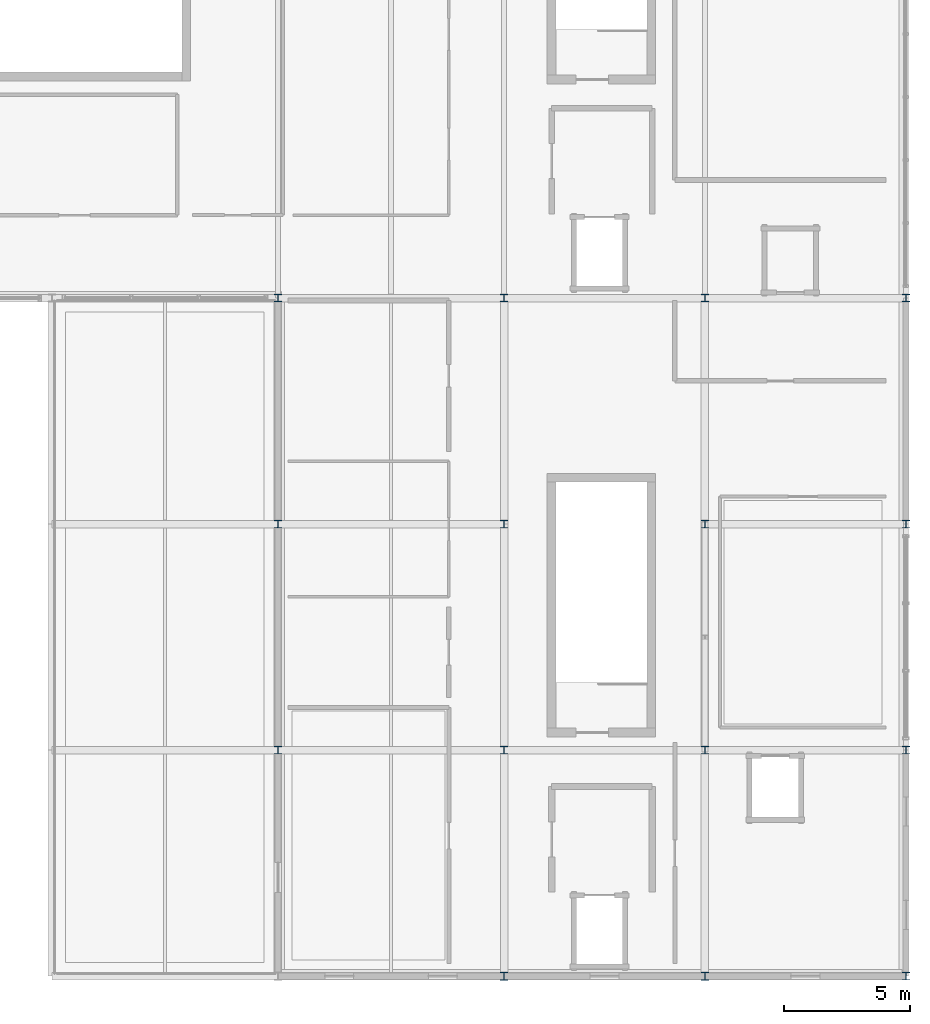
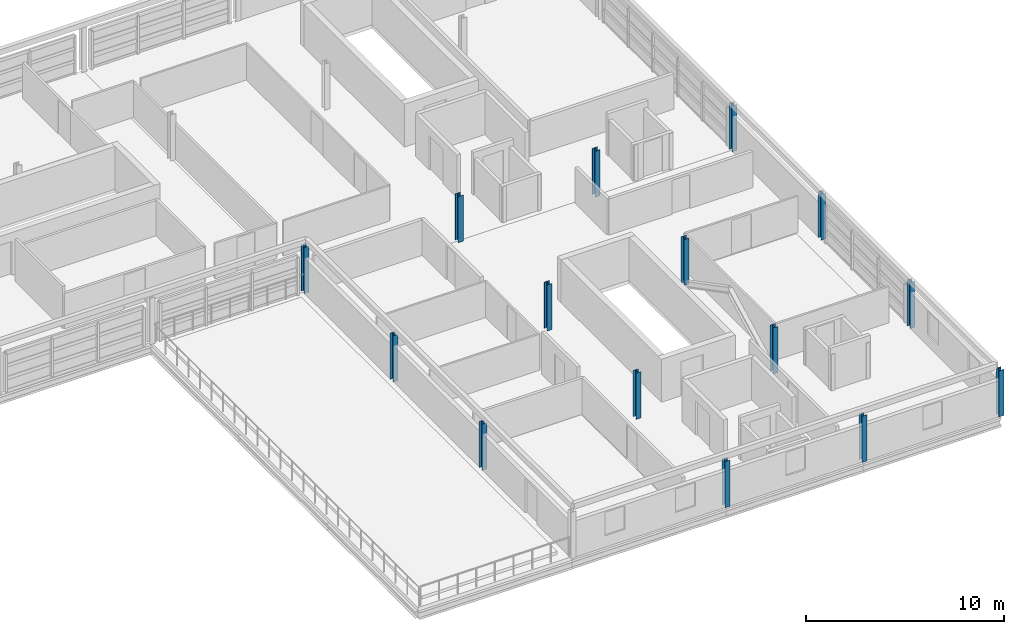
# One storey, part 2 of 27: 15 columns.
"""IFC4 building model written with IfcOpenShell, lengths in metres."""

from ifc_helpers import new_model, si_unit, direction, frame, origin, origin_2d, place, context, subcontext, project, spatial, i_section, extrude, material, material_profile, profile_set, type_object, element, save


model = new_model("IFC4")

# Units and contexts
model_context = context("Model", 3, precision=1e-05, world=origin(), true_north=direction((0.0, 1.0)))
body_context = subcontext(model_context, "Body", "Model", "MODEL_VIEW")
ifc_project = project(units=[si_unit("LENGTHUNIT", "METRE"), si_unit("AREAUNIT", "SQUARE_METRE"), si_unit("VOLUMEUNIT", "CUBIC_METRE"), si_unit("PLANEANGLEUNIT", "RADIAN"), si_unit("MASSUNIT", "GRAM", prefix="KILO")], contexts=[model_context])

# Site, building, storey
site_placement = place(None, origin())
site = spatial("IfcSite", under=ifc_project, at=site_placement, CompositionType="ELEMENT")
building_placement = place(site_placement, origin())
building = spatial("IfcBuilding", under=site, at=building_placement, Name="Chuanluo Vaults Station", CompositionType="ELEMENT")
storey_placement = place(building_placement, frame((0.0, 0.0, 20.800048828125)))
storey = spatial("IfcBuildingStorey", under=building, at=storey_placement, Name="L05", CompositionType="ELEMENT", Elevation=20.800048828125)

# Columns
ifc_material = material(Name="Steel Q355C", Category="steel")
ifc_material_profile = material_profile(ifc_material, i_section(OverallWidth=0.300048828125, OverallDepth=0.300048828125, WebThickness=0.010009765625, FlangeThickness=0.014892578125, FilletRadius=0.01806640625, at=origin_2d()))
ifc_profile_set = profile_set([ifc_material_profile], Name="Steel Q355C")
column_type = type_object("IfcColumnType", Name="COL-STL-HW300", PredefinedType="COLUMN", material=ifc_profile_set)
for number, where, z_axis, x_axis, name in (
    (1, (163.0, 85.5, 0.0), (0.0, 0.0, 1.0), (1.0, 0.0, 0.0), "Column L05-131"),
    (2, (163.0, 94.5, 0.0), (0.0, 0.0, 1.0), (1.0, 0.0, 0.0), "Column L05-132"),
    (3, (163.0, 103.5, 0.0), (0.0, 0.0, 1.0), (1.0, 0.0, 0.0), "Column L05-133"),
    (4, (172.0, 76.5, 0.0), (0.0, 0.0, 1.0), (1.0, 0.0, 0.0), "Column L05-143"),
    (5, (172.0, 85.5, 0.0), (0.0, 0.0, 1.0), (1.0, 0.0, 0.0), "Column L05-144"),
    (6, (172.0, 94.5, 0.0), (0.0, 0.0, 1.0), (1.0, 0.0, 0.0), "Column L05-145"),
    (7, (172.0, 103.5, 0.0), (0.0, 0.0, 1.0), (1.0, 0.0, 0.0), "Column L05-146"),
    (8, (180.0, 76.5, 0.0), (0.0, 0.0, 1.0), (1.0, 0.0, 0.0), "Column L05-156"),
    (9, (180.0, 85.5, 0.0), (0.0, 0.0, 1.0), (1.0, 0.0, 0.0), "Column L05-157"),
    (10, (180.0, 94.5, 0.0), (0.0, 0.0, 1.0), (1.0, 0.0, 0.0), "Column L05-158"),
    (11, (180.0, 103.5, 0.0), (0.0, 0.0, 1.0), (1.0, 0.0, 0.0), "Column L05-159"),
    (12, (188.0, 76.5, 0.0), (0.0, 0.0, 1.0), (1.0, 0.0, 0.0), "Column L05-169"),
    (13, (188.0, 85.5, 0.0), (0.0, 0.0, 1.0), (1.0, 0.0, 0.0), "Column L05-170"),
    (14, (188.0, 94.5, 0.0), (0.0, 0.0, 1.0), (1.0, 0.0, 0.0), "Column L05-171"),
    (15, (188.0, 103.5, 0.0), (0.0, 0.0, 1.0), (1.0, 0.0, 0.0), "Column L05-172"),
):
    element("IfcColumn", number, at=place(storey_placement, frame(where, z_axis=z_axis, x_axis=x_axis)), inside=storey, type_object=column_type, Name=name, PredefinedType="COLUMN", context=body_context, shape_type="SweptSolid", body=[
        extrude(i_section(OverallWidth=0.300048828125, OverallDepth=0.300048828125, WebThickness=0.010009765625, FlangeThickness=0.014892578125, FilletRadius=0.01806640625, at=origin_2d()), origin(), (0.0, 0.0, 1.0), 2.849853515625),
    ])

save(model, "model.ifc")
